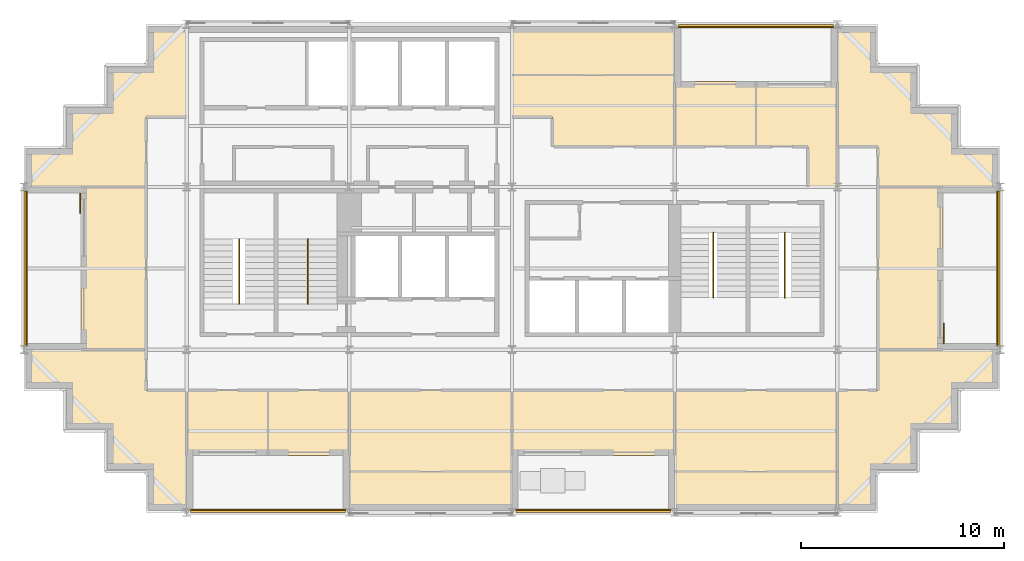
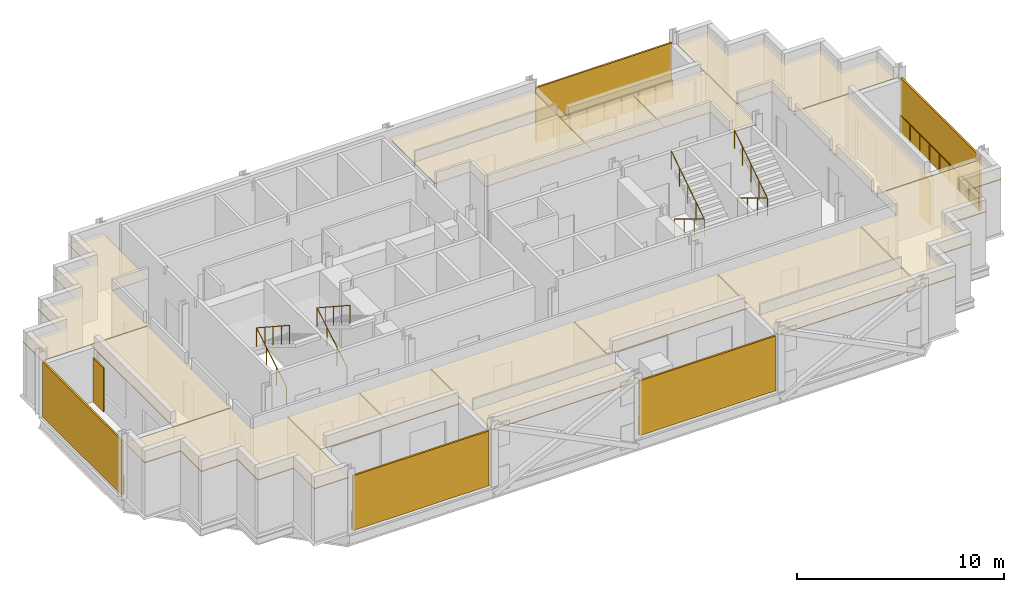
# One storey, part 9 of 10: 17 coverings, 9 railings, 7 shading devices.
"""IFC4 building model written with IfcOpenShell, lengths in metres."""

from ifc_helpers import new_model, si_unit, direction, frame, origin, origin_2d, place, context, subcontext, project, spatial, polyline, rectangle, circle, outline, extrude, material, layer, layer_set, type_object, element, save


model = new_model("IFC4")

# Units and contexts
model_context = context("Model", 3, precision=1e-05, world=origin(), true_north=direction((0.0, 1.0)))
body_context = subcontext(model_context, "Body", "Model", "MODEL_VIEW")
ifc_project = project(units=[si_unit("LENGTHUNIT", "METRE"), si_unit("AREAUNIT", "SQUARE_METRE"), si_unit("VOLUMEUNIT", "CUBIC_METRE"), si_unit("PLANEANGLEUNIT", "RADIAN"), si_unit("MASSUNIT", "GRAM", prefix="KILO")], contexts=[model_context])

# Site, building, storey
site_placement = place(None, origin())
site = spatial("IfcSite", under=ifc_project, at=site_placement, CompositionType="ELEMENT")
building_placement = place(site_placement, origin())
building = spatial("IfcBuilding", under=site, at=building_placement, Name="Immortelle Media Tower", CompositionType="ELEMENT")
storey_placement = place(building_placement, frame((0.0, 0.0, 263.0)))
storey = spatial("IfcBuildingStorey", under=building, at=storey_placement, Name="L57", CompositionType="ELEMENT", Elevation=263.0)

# Railings
ifc_material_1 = material(Name="Powder-coated aluminium fretwork panel, laminated glass backing", Category="aluminium")
railing_type_1 = type_object("IfcRailingType", Name="Fretwork balustrade 1100", PredefinedType="BALUSTRADE", material=ifc_material_1)
railing_1_placement = place(storey_placement, frame((8.197021484375, 0.139892578125, 0.0)))
element("IfcRailing", 1, at=railing_1_placement, inside=storey, type_object=railing_type_1, Name="Fretwork balustrade L57 S0", PredefinedType="BALUSTRADE", context=body_context, shape_type="SweptSolid", body=[
    extrude(circle(Radius=0.02490234375, at=origin_2d()), frame((0.0, 0.0, 1.0751953125), z_axis=(1.0, 0.0, 0.0), x_axis=(0.0, 1.0, 0.0)), (0.0, 0.0, 1.0), 7.6025390625),
    extrude(circle(Radius=0.02001953125, at=origin_2d()), origin(), (0.0, 0.0, 1.0), 1.050048828125),
    extrude(circle(Radius=0.02001953125, at=origin_2d()), frame((0.9501953125, 0.0, 0.0)), (0.0, 0.0, 1.0), 1.050048828125),
    extrude(circle(Radius=0.02001953125, at=origin_2d()), frame((1.900634765625, 0.0, 0.0)), (0.0, 0.0, 1.0), 1.050048828125),
    extrude(circle(Radius=0.02001953125, at=origin_2d()), frame((2.85107421875, 0.0, 0.0)), (0.0, 0.0, 1.0), 1.050048828125),
    extrude(circle(Radius=0.02001953125, at=origin_2d()), frame((3.80126953125, 0.0, 0.0)), (0.0, 0.0, 1.0), 1.050048828125),
    extrude(circle(Radius=0.02001953125, at=origin_2d()), frame((4.75146484375, 0.0, 0.0)), (0.0, 0.0, 1.0), 1.050048828125),
    extrude(circle(Radius=0.02001953125, at=origin_2d()), frame((5.701904296875, 0.0, 0.0)), (0.0, 0.0, 1.0), 1.050048828125),
    extrude(circle(Radius=0.02001953125, at=origin_2d()), frame((6.65234375, 0.0, 0.0)), (0.0, 0.0, 1.0), 1.050048828125),
    extrude(circle(Radius=0.02001953125, at=origin_2d()), frame((7.6025390625, 0.0, 0.0)), (0.0, 0.0, 1.0), 1.050048828125),
])
railing_2_placement = place(storey_placement, frame((24.200439453125, 0.139892578125, 0.0)))
element("IfcRailing", 2, at=railing_2_placement, inside=storey, type_object=railing_type_1, Name="Fretwork balustrade L57 S2", PredefinedType="BALUSTRADE", context=body_context, shape_type="SweptSolid", body=[
    extrude(circle(Radius=0.02490234375, at=origin_2d()), frame((0.0, 0.0, 1.0751953125), z_axis=(1.0, 0.0, 0.0), x_axis=(0.0, 1.0, 0.0)), (0.0, 0.0, 1.0), 7.59912109375),
    extrude(circle(Radius=0.02001953125, at=origin_2d()), origin(), (0.0, 0.0, 1.0), 1.050048828125),
    extrude(circle(Radius=0.02001953125, at=origin_2d()), frame((0.949951171875, 0.0, 0.0)), (0.0, 0.0, 1.0), 1.050048828125),
    extrude(circle(Radius=0.02001953125, at=origin_2d()), frame((1.89990234375, 0.0, 0.0)), (0.0, 0.0, 1.0), 1.050048828125),
    extrude(circle(Radius=0.02001953125, at=origin_2d()), frame((2.849609375, 0.0, 0.0)), (0.0, 0.0, 1.0), 1.050048828125),
    extrude(circle(Radius=0.02001953125, at=origin_2d()), frame((3.799560546875, 0.0, 0.0)), (0.0, 0.0, 1.0), 1.050048828125),
    extrude(circle(Radius=0.02001953125, at=origin_2d()), frame((4.74951171875, 0.0, 0.0)), (0.0, 0.0, 1.0), 1.050048828125),
    extrude(circle(Radius=0.02001953125, at=origin_2d()), frame((5.69921875, 0.0, 0.0)), (0.0, 0.0, 1.0), 1.050048828125),
    extrude(circle(Radius=0.02001953125, at=origin_2d()), frame((6.649169921875, 0.0, 0.0)), (0.0, 0.0, 1.0), 1.050048828125),
    extrude(circle(Radius=0.02001953125, at=origin_2d()), frame((7.59912109375, 0.0, 0.0)), (0.0, 0.0, 1.0), 1.050048828125),
])
railing_3_placement = place(storey_placement, frame((47.860107421875, 8.18798828125, 0.0)))
element("IfcRailing", 3, at=railing_3_placement, inside=storey, type_object=railing_type_1, Name="Fretwork balustrade L57 E0", PredefinedType="BALUSTRADE", context=body_context, shape_type="SweptSolid", body=[
    extrude(circle(Radius=0.02490234375, at=origin_2d()), frame((0.0, 0.0, 1.0751953125), z_axis=(0.0, 1.0, 0.0), x_axis=(-1.0, 0.0, 0.0)), (0.0, 0.0, 1.0), 7.6240234375),
    extrude(circle(Radius=0.02001953125, at=origin_2d()), origin(), (0.0, 0.0, 1.0), 1.050048828125),
    extrude(circle(Radius=0.02001953125, at=origin_2d()), frame((0.0, 0.953125, 0.0)), (0.0, 0.0, 1.0), 1.050048828125),
    extrude(circle(Radius=0.02001953125, at=origin_2d()), frame((0.0, 1.906005859375, 0.0)), (0.0, 0.0, 1.0), 1.050048828125),
    extrude(circle(Radius=0.02001953125, at=origin_2d()), frame((0.0, 2.85888671875, 0.0)), (0.0, 0.0, 1.0), 1.050048828125),
    extrude(circle(Radius=0.02001953125, at=origin_2d()), frame((0.0, 3.81201171875, 0.0)), (0.0, 0.0, 1.0), 1.050048828125),
    extrude(circle(Radius=0.02001953125, at=origin_2d()), frame((0.0, 4.76513671875, 0.0)), (0.0, 0.0, 1.0), 1.050048828125),
    extrude(circle(Radius=0.02001953125, at=origin_2d()), frame((0.0, 5.718017578125, 0.0)), (0.0, 0.0, 1.0), 1.050048828125),
    extrude(circle(Radius=0.02001953125, at=origin_2d()), frame((0.0, 6.6708984375, 0.0)), (0.0, 0.0, 1.0), 1.050048828125),
    extrude(circle(Radius=0.02001953125, at=origin_2d()), frame((0.0, 7.6240234375, 0.0)), (0.0, 0.0, 1.0), 1.050048828125),
])
railing_4_placement = place(storey_placement, frame((39.802978515625, 23.860107421875, 0.0)))
element("IfcRailing", 4, at=railing_4_placement, inside=storey, type_object=railing_type_1, Name="Fretwork balustrade L57 N0", PredefinedType="BALUSTRADE", context=body_context, shape_type="SweptSolid", body=[
    extrude(circle(Radius=0.02490234375, at=origin_2d()), frame((0.0, 0.0, 1.0751953125), z_axis=(-1.0, 0.0, 0.0), x_axis=(0.0, -1.0, 0.0)), (0.0, 0.0, 1.0), 7.6025390625),
    extrude(circle(Radius=0.02001953125, at=origin_2d()), origin(), (0.0, 0.0, 1.0), 1.050048828125),
    extrude(circle(Radius=0.02001953125, at=origin_2d()), frame((-0.9501953125, 0.0, 0.0)), (0.0, 0.0, 1.0), 1.050048828125),
    extrude(circle(Radius=0.02001953125, at=origin_2d()), frame((-1.900634765625, 0.0, 0.0)), (0.0, 0.0, 1.0), 1.050048828125),
    extrude(circle(Radius=0.02001953125, at=origin_2d()), frame((-2.85107421875, 0.0, 0.0)), (0.0, 0.0, 1.0), 1.050048828125),
    extrude(circle(Radius=0.02001953125, at=origin_2d()), frame((-3.80126953125, 0.0, 0.0)), (0.0, 0.0, 1.0), 1.050048828125),
    extrude(circle(Radius=0.02001953125, at=origin_2d()), frame((-4.75146484375, 0.0, 0.0)), (0.0, 0.0, 1.0), 1.050048828125),
    extrude(circle(Radius=0.02001953125, at=origin_2d()), frame((-5.701904296875, 0.0, 0.0)), (0.0, 0.0, 1.0), 1.050048828125),
    extrude(circle(Radius=0.02001953125, at=origin_2d()), frame((-6.65234375, 0.0, 0.0)), (0.0, 0.0, 1.0), 1.050048828125),
    extrude(circle(Radius=0.02001953125, at=origin_2d()), frame((-7.6025390625, 0.0, 0.0)), (0.0, 0.0, 1.0), 1.050048828125),
])
railing_5_placement = place(storey_placement, frame((0.139892578125, 15.81201171875, 0.0)))
element("IfcRailing", 5, at=railing_5_placement, inside=storey, type_object=railing_type_1, Name="Fretwork balustrade L57 W0", PredefinedType="BALUSTRADE", context=body_context, shape_type="SweptSolid", body=[
    extrude(circle(Radius=0.02490234375, at=origin_2d()), frame((0.0, 0.0, 1.0751953125), z_axis=(0.0, -1.0, 0.0), x_axis=(1.0, 0.0, 0.0)), (0.0, 0.0, 1.0), 7.6240234375),
    extrude(circle(Radius=0.02001953125, at=origin_2d()), origin(), (0.0, 0.0, 1.0), 1.050048828125),
    extrude(circle(Radius=0.02001953125, at=origin_2d()), frame((0.0, -0.953125, 0.0)), (0.0, 0.0, 1.0), 1.050048828125),
    extrude(circle(Radius=0.02001953125, at=origin_2d()), frame((0.0, -1.906005859375, 0.0)), (0.0, 0.0, 1.0), 1.050048828125),
    extrude(circle(Radius=0.02001953125, at=origin_2d()), frame((0.0, -2.85888671875, 0.0)), (0.0, 0.0, 1.0), 1.050048828125),
    extrude(circle(Radius=0.02001953125, at=origin_2d()), frame((0.0, -3.81201171875, 0.0)), (0.0, 0.0, 1.0), 1.050048828125),
    extrude(circle(Radius=0.02001953125, at=origin_2d()), frame((0.0, -4.76513671875, 0.0)), (0.0, 0.0, 1.0), 1.050048828125),
    extrude(circle(Radius=0.02001953125, at=origin_2d()), frame((0.0, -5.718017578125, 0.0)), (0.0, 0.0, 1.0), 1.050048828125),
    extrude(circle(Radius=0.02001953125, at=origin_2d()), frame((0.0, -6.6708984375, 0.0)), (0.0, 0.0, 1.0), 1.050048828125),
    extrude(circle(Radius=0.02001953125, at=origin_2d()), frame((0.0, -7.6240234375, 0.0)), (0.0, 0.0, 1.0), 1.050048828125),
])

# Shading devices
ifc_material_2 = material(Name="Pale aluminium louvre blades", Category="aluminium")
ifc_layer_1 = layer(ifc_material_2, 0.10009765625)
ifc_layer_set_1 = layer_set([ifc_layer_1], Name="Pale aluminium louvre blades")
shading_device_type_1 = type_object("IfcShadingDeviceType", Name="Jalousie screen 100", PredefinedType="JALOUSIE", material=ifc_layer_set_1)
shading_device_1_placement = place(storey_placement, frame((11.998291015625, 0.050048828125, 0.0), z_axis=(0.0, 0.0, 1.0), x_axis=(1.0, 0.0, 0.0)))
element("IfcShadingDevice", 6, at=shading_device_1_placement, inside=storey, type_object=shading_device_type_1, Name="Jalousie screen L57 S0", PredefinedType="JALOUSIE", context=body_context, shape_type="SweptSolid", body=[
    extrude(rectangle(XDim=7.6025390625, YDim=0.10009765625, at=origin_2d()), origin(), (0.0, 0.0, 1.0), 3.238037109375),
])
shading_device_2_placement = place(storey_placement, frame((28.0, 0.050048828125, 0.0), z_axis=(0.0, 0.0, 1.0), x_axis=(1.0, 0.0, 0.0)))
element("IfcShadingDevice", 7, at=shading_device_2_placement, inside=storey, type_object=shading_device_type_1, Name="Jalousie screen L57 S2", PredefinedType="JALOUSIE", context=body_context, shape_type="SweptSolid", body=[
    extrude(rectangle(XDim=7.59912109375, YDim=0.10009765625, at=origin_2d()), origin(), (0.0, 0.0, 1.0), 3.238037109375),
])
shading_device_3_placement = place(storey_placement, frame((47.949951171875, 12.0, 0.0), z_axis=(0.0, 0.0, 1.0), x_axis=(0.0, 1.0, 0.0)))
element("IfcShadingDevice", 8, at=shading_device_3_placement, inside=storey, type_object=shading_device_type_1, Name="Jalousie screen L57 E0", PredefinedType="JALOUSIE", context=body_context, shape_type="SweptSolid", body=[
    extrude(rectangle(XDim=7.6240234375, YDim=0.10009765625, at=origin_2d()), origin(), (0.0, 0.0, 1.0), 3.238037109375),
])
shading_device_4_placement = place(storey_placement, frame((36.001708984375, 23.949951171875, 0.0), z_axis=(0.0, 0.0, 1.0), x_axis=(-1.0, 0.0, 0.0)))
element("IfcShadingDevice", 9, at=shading_device_4_placement, inside=storey, type_object=shading_device_type_1, Name="Jalousie screen L57 N0", PredefinedType="JALOUSIE", context=body_context, shape_type="SweptSolid", body=[
    extrude(rectangle(XDim=7.6025390625, YDim=0.10009765625, at=origin_2d()), origin(), (0.0, 0.0, 1.0), 3.238037109375),
])
shading_device_5_placement = place(storey_placement, frame((0.050048828125, 12.0, 0.0), z_axis=(0.0, 0.0, 1.0), x_axis=(0.0, -1.0, 0.0)))
element("IfcShadingDevice", 10, at=shading_device_5_placement, inside=storey, type_object=shading_device_type_1, Name="Jalousie screen L57 W0", PredefinedType="JALOUSIE", context=body_context, shape_type="SweptSolid", body=[
    extrude(rectangle(XDim=7.6240234375, YDim=0.10009765625, at=origin_2d()), origin(), (0.0, 0.0, 1.0), 3.238037109375),
])
ifc_material_3 = material(Name="Pale aluminium louvre blades in a folding frame", Category="aluminium")
ifc_layer_2 = layer(ifc_material_3, 0.050048828125)
ifc_layer_set_2 = layer_set([ifc_layer_2], Name="Pale aluminium louvre blades in a folding frame")
shading_device_type_2 = type_object("IfcShadingDeviceType", Name="Louvred loggia shutter", PredefinedType="SHUTTER", material=ifc_layer_set_2)
for number, where, z_axis, x_axis, name in (
    (11, (45.22509765625, 8.800048828125, 0.0), (0.0, 0.0, 1.0), (0.0, 1.0, 0.0), "Loggia shutter L57 E0"),
    (12, (2.77490234375, 15.199951171875, 0.0), (0.0, 0.0, 1.0), (0.0, -1.0, 0.0), "Loggia shutter L57 W0"),
):
    element("IfcShadingDevice", number, at=place(storey_placement, frame(where, z_axis=z_axis, x_axis=x_axis)), inside=storey, type_object=shading_device_type_2, Name=name, PredefinedType="SHUTTER", context=body_context, shape_type="SweptSolid", body=[
        extrude(rectangle(XDim=1.0, YDim=0.050048828125, at=origin_2d()), origin(), (0.0, 0.0, 1.0), 2.60009765625),
    ])

# Railings
ifc_material_4 = material(Name="Stainless steel AISI 316", Category="steel")
railing_type_2 = type_object("IfcRailingType", Name="Stair guard 1100", PredefinedType="GUARDRAIL", material=ifc_material_4)
for number, where, name in (
    (13, (10.574951171875, 10.5400390625, 0.173828125), "Stair guard SW1"),
    (14, (13.949951171875, 10.5400390625, 0.173828125), "Stair guard SW2"),
):
    element("IfcRailing", number, at=place(storey_placement, frame(where)), inside=storey, type_object=railing_type_2, Name=name, PredefinedType="GUARDRAIL", context=body_context, shape_type="SweptSolid", body=[
        extrude(circle(Radius=0.02392578125, at=origin_2d()), frame((0.0, 0.0, 1.076171875), z_axis=(0.0, 0.857582100076, 0.514347102285), x_axis=(-1.0, 0.0, 0.0)), (0.0, 0.0, 1.0), 3.381591796875),
        extrude(circle(Radius=0.02392578125, at=origin_2d()), frame((0.0, 2.89990234375, 2.8154296875), z_axis=(0.0, -0.836827423118, 0.547466769693), x_axis=(1.0, 0.0, 0.0)), (0.0, 0.0, 1.0), 3.81201171875),
        extrude(circle(Radius=0.02099609375, at=origin_2d()), origin(), (0.0, 0.0, 1.0), 1.052001953125),
        extrude(circle(Radius=0.02099609375, at=origin_2d()), frame((0.0, 0.966552734375, 0.579833984375)), (0.0, 0.0, 1.0), 1.052001953125),
        extrude(circle(Radius=0.02099609375, at=origin_2d()), frame((0.0, 1.933349609375, 1.159423828125)), (0.0, 0.0, 1.0), 1.052001953125),
        extrude(circle(Radius=0.02099609375, at=origin_2d()), frame((0.0, 2.89990234375, 1.7392578125)), (0.0, 0.0, 1.0), 1.052001953125),
        extrude(circle(Radius=0.02099609375, at=origin_2d()), frame((0.0, 2.1025390625, 2.260986328125)), (0.0, 0.0, 1.0), 1.052001953125),
        extrude(circle(Radius=0.02099609375, at=origin_2d()), frame((0.0, 1.304931640625, 2.78271484375)), (0.0, 0.0, 1.0), 1.052001953125),
        extrude(circle(Radius=0.02099609375, at=origin_2d()), frame((0.0, 0.50732421875, 3.304443359375)), (0.0, 0.0, 1.0), 1.052001953125),
        extrude(circle(Radius=0.02099609375, at=origin_2d()), frame((0.0, -0.2900390625, 3.826171875)), (0.0, 0.0, 1.0), 1.052001953125),
    ])
for number, where, name in (
    (15, (33.89990234375, 13.4599609375, 0.173828125), "Stair guard SE1"),
    (16, (37.425048828125, 13.4599609375, 0.173828125), "Stair guard SE2"),
):
    element("IfcRailing", number, at=place(storey_placement, frame(where)), inside=storey, type_object=railing_type_2, Name=name, PredefinedType="GUARDRAIL", context=body_context, shape_type="SweptSolid", body=[
        extrude(circle(Radius=0.02392578125, at=origin_2d()), frame((0.0, 0.0, 1.076171875), z_axis=(0.0, -0.857582100076, 0.514347102285), x_axis=(1.0, 0.0, 0.0)), (0.0, 0.0, 1.0), 3.381591796875),
        extrude(circle(Radius=0.02392578125, at=origin_2d()), frame((0.0, -2.89990234375, 2.8154296875), z_axis=(0.0, 0.836827423118, 0.547466769693), x_axis=(-1.0, 0.0, 0.0)), (0.0, 0.0, 1.0), 3.81201171875),
        extrude(circle(Radius=0.02099609375, at=origin_2d()), origin(), (0.0, 0.0, 1.0), 1.052001953125),
        extrude(circle(Radius=0.02099609375, at=origin_2d()), frame((0.0, -0.966552734375, 0.579833984375)), (0.0, 0.0, 1.0), 1.052001953125),
        extrude(circle(Radius=0.02099609375, at=origin_2d()), frame((0.0, -1.933349609375, 1.159423828125)), (0.0, 0.0, 1.0), 1.052001953125),
        extrude(circle(Radius=0.02099609375, at=origin_2d()), frame((0.0, -2.89990234375, 1.7392578125)), (0.0, 0.0, 1.0), 1.052001953125),
        extrude(circle(Radius=0.02099609375, at=origin_2d()), frame((0.0, -2.1025390625, 2.260986328125)), (0.0, 0.0, 1.0), 1.052001953125),
        extrude(circle(Radius=0.02099609375, at=origin_2d()), frame((0.0, -1.304931640625, 2.78271484375)), (0.0, 0.0, 1.0), 1.052001953125),
        extrude(circle(Radius=0.02099609375, at=origin_2d()), frame((0.0, -0.50732421875, 3.304443359375)), (0.0, 0.0, 1.0), 1.052001953125),
        extrude(circle(Radius=0.02099609375, at=origin_2d()), frame((0.0, 0.2900390625, 3.826171875)), (0.0, 0.0, 1.0), 1.052001953125),
    ])

# Coverings
ifc_material_5 = material(Name="Mineral fibre tile ceiling")
ifc_layer_3 = layer(ifc_material_5, 0.050048828125)
ifc_layer_set_3 = layer_set([ifc_layer_3], Name="Mineral fibre tile ceiling")
covering_type = type_object("IfcCoveringType", Name="Suspended ceiling 50", PredefinedType="CEILING", material=ifc_layer_set_3)
covering_1_placement = place(storey_placement, frame((0.0, 0.0, 3.1220703125)))
element("IfcCovering", 17, at=covering_1_placement, inside=storey, type_object=covering_type, Name="Ceiling L57-001", PredefinedType="CEILING", context=body_context, shape_type="SweptSolid", body=[
    extrude(outline(polyline([(16.0, 2.800048828125), (16.0, 6.0), (24.0, 6.0), (24.0, 2.800048828125), (24.0, 2.0), (16.0, 2.0), (16.0, 2.800048828125)])), origin(), (0.0, 0.0, 1.0), 0.050048828125),
])
covering_2_placement = place(storey_placement, frame((0.0, 0.0, 3.1220703125)))
element("IfcCovering", 18, at=covering_2_placement, inside=storey, type_object=covering_type, Name="Ceiling L57-002", PredefinedType="CEILING", context=body_context, shape_type="SweptSolid", body=[
    extrude(outline(polyline([(16.0, 2.0), (24.0, 2.0), (24.0, 0.10009765625), (16.0, 0.10009765625), (16.0, 2.0)])), origin(), (0.0, 0.0, 1.0), 0.050048828125),
])
covering_3_placement = place(storey_placement, frame((0.0, 0.0, 3.1220703125)))
element("IfcCovering", 19, at=covering_3_placement, inside=storey, type_object=covering_type, Name="Ceiling L57-003", PredefinedType="CEILING", context=body_context, shape_type="SweptSolid", body=[
    extrude(outline(polyline([(32.0, 2.800048828125), (32.0, 6.0), (40.0, 6.0), (40.0, 2.0), (32.0, 2.0), (32.0, 2.800048828125)])), origin(), (0.0, 0.0, 1.0), 0.050048828125),
])
covering_4_placement = place(storey_placement, frame((0.0, 0.0, 3.1220703125)))
element("IfcCovering", 20, at=covering_4_placement, inside=storey, type_object=covering_type, Name="Ceiling L57-004", PredefinedType="CEILING", context=body_context, shape_type="SweptSolid", body=[
    extrude(outline(polyline([(32.0, 2.0), (40.0, 2.0), (40.0, 0.10009765625), (32.0, 0.10009765625), (32.0, 2.0)])), origin(), (0.0, 0.0, 1.0), 0.050048828125),
])
covering_5_placement = place(storey_placement, frame((0.0, 0.0, 3.1220703125)))
element("IfcCovering", 21, at=covering_5_placement, inside=storey, type_object=covering_type, Name="Ceiling L57-005", PredefinedType="CEILING", context=body_context, shape_type="SweptSolid", body=[
    extrude(outline(polyline([(8.0, 6.0), (12.0, 6.0), (12.0, 2.800048828125), (8.0, 2.800048828125), (8.0, 6.0)])), origin(), (0.0, 0.0, 1.0), 0.050048828125),
])
covering_6_placement = place(storey_placement, frame((0.0, 0.0, 3.1220703125)))
element("IfcCovering", 22, at=covering_6_placement, inside=storey, type_object=covering_type, Name="Ceiling L57-006", PredefinedType="CEILING", context=body_context, shape_type="SweptSolid", body=[
    extrude(outline(polyline([(16.0, 6.0), (16.0, 2.800048828125), (12.0, 2.800048828125), (12.0, 6.0), (16.0, 6.0)])), origin(), (0.0, 0.0, 1.0), 0.050048828125),
])
covering_7_placement = place(storey_placement, frame((0.0, 0.0, 3.1220703125)))
element("IfcCovering", 23, at=covering_7_placement, inside=storey, type_object=covering_type, Name="Ceiling L57-007", PredefinedType="CEILING", context=body_context, shape_type="SweptSolid", body=[
    extrude(outline(polyline([(24.0, 2.800048828125), (24.0, 6.0), (26.0, 6.0), (32.0, 6.0), (32.0, 2.800048828125), (24.0, 2.800048828125)])), origin(), (0.0, 0.0, 1.0), 0.050048828125),
])
covering_8_placement = place(storey_placement, frame((0.0, 0.0, 3.1220703125)))
element("IfcCovering", 24, at=covering_8_placement, inside=storey, type_object=covering_type, Name="Ceiling L57-008", PredefinedType="CEILING", context=body_context, shape_type="SweptSolid", body=[
    extrude(outline(polyline([(6.10009765625, 0.10009765625), (6.10009765625, 2.10009765625), (4.10009765625, 2.10009765625), (4.10009765625, 4.10009765625), (2.10009765625, 4.10009765625), (2.10009765625, 6.10009765625), (0.10009765625, 6.10009765625), (0.10009765625, 8.0), (2.800048828125, 8.0), (6.0, 8.0), (6.0, 6.0), (8.0, 6.0), (8.0, 2.800048828125), (8.0, 0.10009765625), (6.10009765625, 0.10009765625)])), origin(), (0.0, 0.0, 1.0), 0.050048828125),
])
covering_9_placement = place(storey_placement, frame((0.0, 0.0, 3.1220703125)))
element("IfcCovering", 25, at=covering_9_placement, inside=storey, type_object=covering_type, Name="Ceiling L57-009", PredefinedType="CEILING", context=body_context, shape_type="SweptSolid", body=[
    extrude(outline(polyline([(43.89990234375, 2.10009765625), (41.89990234375, 2.10009765625), (41.89990234375, 0.10009765625), (40.0, 0.10009765625), (40.0, 6.0), (42.0, 6.0), (42.0, 8.0), (44.0, 8.0), (45.199951171875, 8.0), (47.89990234375, 8.0), (47.89990234375, 6.10009765625), (45.89990234375, 6.10009765625), (45.89990234375, 4.10009765625), (44.0, 4.10009765625), (43.89990234375, 4.10009765625), (43.89990234375, 2.10009765625)])), origin(), (0.0, 0.0, 1.0), 0.050048828125),
])
covering_10_placement = place(storey_placement, frame((0.0, 0.0, 3.1220703125)))
element("IfcCovering", 26, at=covering_10_placement, inside=storey, type_object=covering_type, Name="Ceiling L57-010", PredefinedType="CEILING", context=body_context, shape_type="SweptSolid", body=[
    extrude(outline(polyline([(6.0, 8.0), (2.800048828125, 8.0), (2.800048828125, 16.0), (6.0, 16.0), (6.0, 8.0)])), origin(), (0.0, 0.0, 1.0), 0.050048828125),
])
covering_11_placement = place(storey_placement, frame((0.0, 0.0, 3.1220703125)))
element("IfcCovering", 27, at=covering_11_placement, inside=storey, type_object=covering_type, Name="Ceiling L57-011", PredefinedType="CEILING", context=body_context, shape_type="SweptSolid", body=[
    extrude(outline(polyline([(45.199951171875, 8.0), (42.0, 8.0), (42.0, 16.0), (45.199951171875, 16.0), (45.199951171875, 8.0)])), origin(), (0.0, 0.0, 1.0), 0.050048828125),
])
covering_12_placement = place(storey_placement, frame((0.0, 0.0, 3.1220703125)))
element("IfcCovering", 28, at=covering_12_placement, inside=storey, type_object=covering_type, Name="Ceiling L57-012", PredefinedType="CEILING", context=body_context, shape_type="SweptSolid", body=[
    extrude(outline(polyline([(2.800048828125, 16.0), (0.10009765625, 16.0), (0.10009765625, 17.89990234375), (2.10009765625, 17.89990234375), (2.10009765625, 19.89990234375), (4.10009765625, 19.89990234375), (4.10009765625, 20.0), (4.10009765625, 21.89990234375), (6.10009765625, 21.89990234375), (6.10009765625, 23.89990234375), (8.0, 23.89990234375), (8.0, 20.0), (8.0, 19.449951171875), (6.0, 19.449951171875), (6.0, 16.0), (2.800048828125, 16.0)])), origin(), (0.0, 0.0, 1.0), 0.050048828125),
])
covering_13_placement = place(storey_placement, frame((0.0, 0.0, 3.1220703125)))
element("IfcCovering", 29, at=covering_13_placement, inside=storey, type_object=covering_type, Name="Ceiling L57-013", PredefinedType="CEILING", context=body_context, shape_type="SweptSolid", body=[
    extrude(outline(polyline([(45.89990234375, 19.89990234375), (45.89990234375, 17.89990234375), (47.89990234375, 17.89990234375), (47.89990234375, 16.0), (45.199951171875, 16.0), (44.0, 16.0), (42.0, 16.0), (42.0, 18.0), (40.0, 18.0), (40.0, 21.199951171875), (40.0, 23.89990234375), (41.89990234375, 23.89990234375), (41.89990234375, 21.89990234375), (43.89990234375, 21.89990234375), (43.89990234375, 19.89990234375), (44.0, 19.89990234375), (45.89990234375, 19.89990234375)])), origin(), (0.0, 0.0, 1.0), 0.050048828125),
])
covering_14_placement = place(storey_placement, frame((0.0, 0.0, 3.1220703125)))
element("IfcCovering", 30, at=covering_14_placement, inside=storey, type_object=covering_type, Name="Ceiling L57-014", PredefinedType="CEILING", context=body_context, shape_type="SweptSolid", body=[
    extrude(outline(polyline([(32.0, 18.0), (32.0, 21.199951171875), (36.0, 21.199951171875), (36.0, 18.0), (32.0, 18.0)])), origin(), (0.0, 0.0, 1.0), 0.050048828125),
])
covering_15_placement = place(storey_placement, frame((0.0, 0.0, 3.1220703125)))
element("IfcCovering", 31, at=covering_15_placement, inside=storey, type_object=covering_type, Name="Ceiling L57-015", PredefinedType="CEILING", context=body_context, shape_type="SweptSolid", body=[
    extrude(outline(polyline([(38.550048828125, 18.0), (36.0, 18.0), (36.0, 21.199951171875), (40.0, 21.199951171875), (40.0, 18.0), (40.0, 16.0), (38.550048828125, 16.0), (38.550048828125, 18.0)])), origin(), (0.0, 0.0, 1.0), 0.050048828125),
])
covering_16_placement = place(storey_placement, frame((0.0, 0.0, 3.1220703125)))
element("IfcCovering", 32, at=covering_16_placement, inside=storey, type_object=covering_type, Name="Ceiling L57-016", PredefinedType="CEILING", context=body_context, shape_type="SweptSolid", body=[
    extrude(outline(polyline([(26.0, 18.0), (26.0, 19.449951171875), (24.0, 19.449951171875), (24.0, 21.199951171875), (24.0, 21.5), (32.0, 21.5), (32.0, 21.199951171875), (32.0, 18.0), (27.0, 18.0), (26.0, 18.0)])), origin(), (0.0, 0.0, 1.0), 0.050048828125),
])
covering_17_placement = place(storey_placement, frame((0.0, 0.0, 3.1220703125)))
element("IfcCovering", 33, at=covering_17_placement, inside=storey, type_object=covering_type, Name="Ceiling L57-017", PredefinedType="CEILING", context=body_context, shape_type="SweptSolid", body=[
    extrude(outline(polyline([(24.0, 23.89990234375), (32.0, 23.89990234375), (32.0, 21.5), (24.0, 21.5), (24.0, 23.89990234375)])), origin(), (0.0, 0.0, 1.0), 0.050048828125),
])

save(model, "model.ifc")
